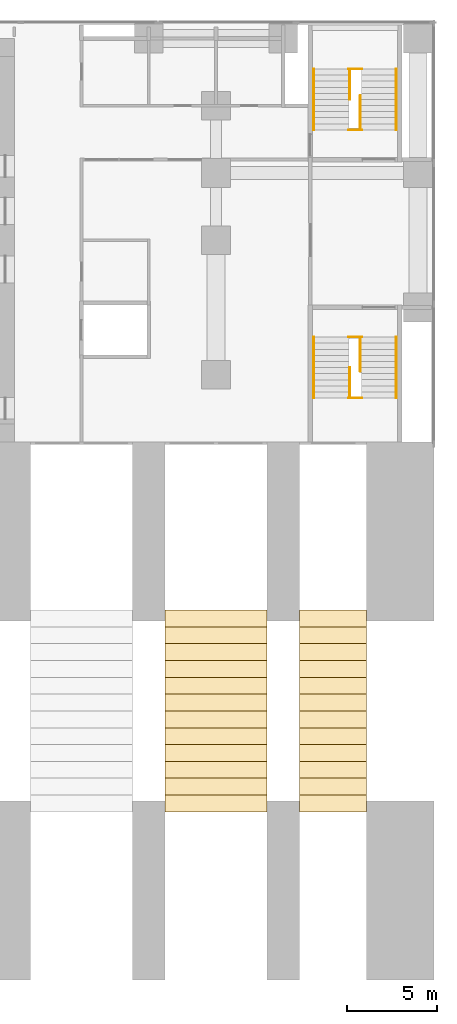
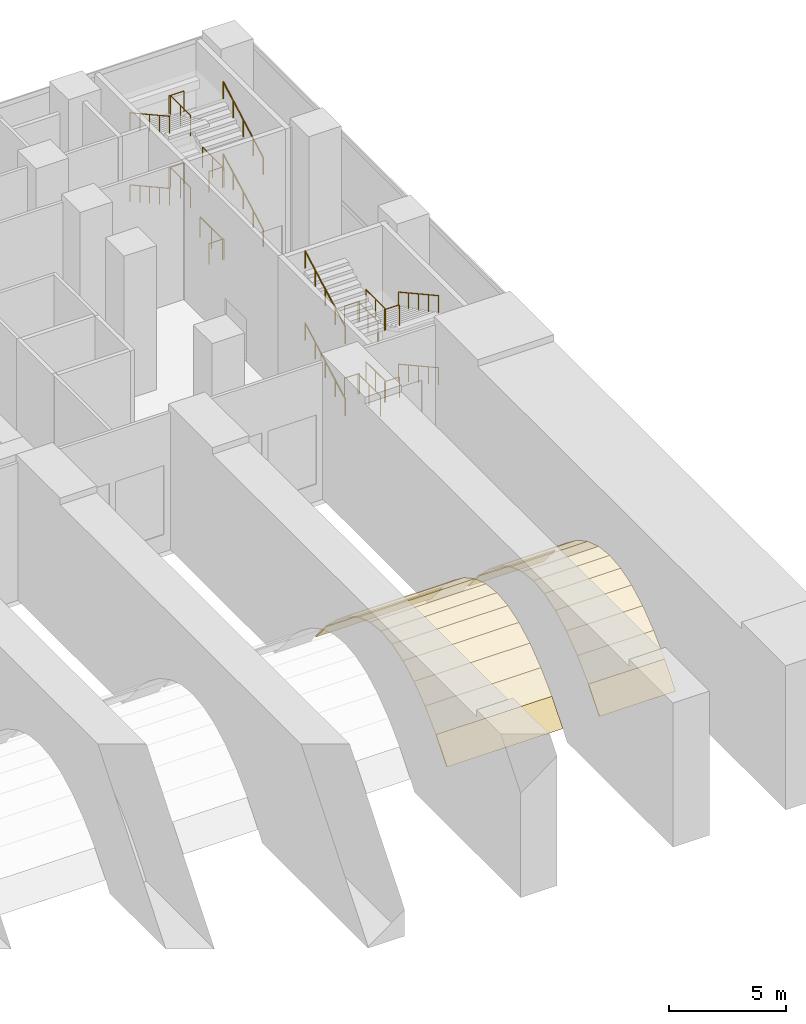
# One storey, part 15 of 15: 24 coverings, 24 railings.
"""IFC4 building model written with IfcOpenShell, lengths in metres."""

from ifc_helpers import new_model, si_unit, direction, frame, origin, origin_2d, place, context, subcontext, project, spatial, polyline, circle, outline, extrude, material, layer, layer_set, type_object, element, save


model = new_model("IFC4")

# Units and contexts
model_context = context("Model", 3, precision=1e-05, world=origin(), true_north=direction((0.0, 1.0)))
body_context = subcontext(model_context, "Body", "Model", "MODEL_VIEW")
ifc_project = project(units=[si_unit("LENGTHUNIT", "METRE"), si_unit("AREAUNIT", "SQUARE_METRE"), si_unit("VOLUMEUNIT", "CUBIC_METRE"), si_unit("PLANEANGLEUNIT", "RADIAN"), si_unit("MASSUNIT", "GRAM", prefix="KILO")], contexts=[model_context])

# Site, building, storey
site_placement = place(None, origin())
site = spatial("IfcSite", under=ifc_project, at=site_placement, CompositionType="ELEMENT")
building_placement = place(site_placement, origin())
building = spatial("IfcBuilding", under=site, at=building_placement, Name="Pilkhan Gate Tower", CompositionType="ELEMENT")
storey_placement = place(building_placement, frame((0.0, 0.0, 16.5)))
storey = spatial("IfcBuildingStorey", under=building, at=storey_placement, Name="L02", CompositionType="ELEMENT", Elevation=16.5)

# Coverings
ifc_material_1 = material(Name="Concrete C40/50 precast", Category="concrete")
ifc_layer = layer(ifc_material_1, 0.06005859375)
ifc_layer_set = layer_set([ifc_layer], Name="Arch soffit panel ARC")
covering_type = type_object("IfcCoveringType", Name="Arch soffit panel ARC", PredefinedType="CLADDING", material=ifc_layer_set)
covering_1_placement = place(storey_placement, frame((98.39990234375, 50.625, 0.487548828125), z_axis=(0.0, -0.766573876706, 0.642156127084), x_axis=(1.0, 0.0, 0.0)))
element("IfcCovering", 1, at=covering_1_placement, inside=storey, type_object=covering_type, Name="Arch soffit panel ARC-9.7", PredefinedType="CLADDING", context=body_context, shape_type="SweptSolid", body=[
    extrude(outline(polyline([(0.0, 0.0), (5.7001953125, 0.0), (5.7001953125, 1.4599253366269764), (0.0, 1.4599253366269764), (0.0, 0.0)])), origin(), (0.0, 0.0, -1.0), 0.06005859375),
])
covering_2_placement = place(storey_placement, frame((98.39990234375, 51.5625, 1.606689453125), z_axis=(0.0, -0.698672998985, 0.715441150961), x_axis=(1.0, 0.0, 0.0)))
element("IfcCovering", 2, at=covering_2_placement, inside=storey, type_object=covering_type, Name="Arch soffit panel ARC-9.8", PredefinedType="CLADDING", context=body_context, shape_type="SweptSolid", body=[
    extrude(outline(polyline([(0.0, 0.0), (5.7001953125, 0.0), (5.7001953125, 1.3103803139371146), (0.0, 1.3103803139371146), (0.0, 0.0)])), origin(), (0.0, 0.0, -1.0), 0.06005859375),
])
covering_3_placement = place(storey_placement, frame((98.39990234375, 52.5, 2.522216796875), z_axis=(0.0, -0.604899225984, 0.796302032149), x_axis=(1.0, 0.0, 0.0)))
element("IfcCovering", 3, at=covering_3_placement, inside=storey, type_object=covering_type, Name="Arch soffit panel ARC-9.9", PredefinedType="CLADDING", context=body_context, shape_type="SweptSolid", body=[
    extrude(outline(polyline([(0.0, 0.0), (5.7001953125, 0.0), (5.7001953125, 1.1773171009877623), (0.0, 1.1773171009877623), (0.0, 0.0)])), origin(), (0.0, 0.0, -1.0), 0.06005859375),
])
covering_4_placement = place(storey_placement, frame((98.39990234375, 53.4375, 3.234375), z_axis=(0.0, -0.476990839795, 0.878908265265), x_axis=(1.0, 0.0, 0.0)))
element("IfcCovering", 4, at=covering_4_placement, inside=storey, type_object=covering_type, Name="Arch soffit panel ARC-9.10", PredefinedType="CLADDING", context=body_context, shape_type="SweptSolid", body=[
    extrude(outline(polyline([(0.0, 0.0), (5.7001953125, 0.0), (5.7001953125, 1.0666642208866055), (0.0, 1.0666642208866055), (0.0, 0.0)])), origin(), (0.0, 0.0, -1.0), 0.06005859375),
])
covering_5_placement = place(storey_placement, frame((98.39990234375, 54.375, 3.7431640625), z_axis=(0.0, -0.309533978689, 0.950888382533), x_axis=(1.0, 0.0, 0.0)))
element("IfcCovering", 5, at=covering_5_placement, inside=storey, type_object=covering_type, Name="Arch soffit panel ARC-9.11", PredefinedType="CLADDING", context=body_context, shape_type="SweptSolid", body=[
    extrude(outline(polyline([(0.0, 0.0), (5.7001953125, 0.0), (5.7001953125, 0.9859201323948852), (0.0, 0.9859201323948852), (0.0, 0.0)])), origin(), (0.0, 0.0, -1.0), 0.06005859375),
])
for number, where, z_axis, x_axis, name in (
    (6, (98.39990234375, 55.3125, 4.04833984375), (0.0, -0.107703168683, 0.994183095539), (1.0, 0.0, 0.0), "Arch soffit panel ARC-9.12"),
    (7, (98.39990234375, 56.25, 4.14990234375), (0.0, 0.107703168683, 0.994183095539), (1.0, 0.0, 0.0), "Arch soffit panel ARC-9.13"),
):
    element("IfcCovering", number, at=place(storey_placement, frame(where, z_axis=z_axis, x_axis=x_axis)), inside=storey, type_object=covering_type, Name=name, PredefinedType="CLADDING", context=body_context, shape_type="SweptSolid", body=[
        extrude(outline(polyline([(0.0, 0.0), (5.7001953125, 0.0), (5.7001953125, 0.9429852551372424), (0.0, 0.9429852551372424), (0.0, 0.0)])), origin(), (0.0, 0.0, -1.0), 0.06005859375),
    ])
covering_6_placement = place(storey_placement, frame((98.39990234375, 57.1875, 4.04833984375), z_axis=(0.0, 0.309533978689, 0.950888382533), x_axis=(1.0, 0.0, 0.0)))
element("IfcCovering", 8, at=covering_6_placement, inside=storey, type_object=covering_type, Name="Arch soffit panel ARC-9.14", PredefinedType="CLADDING", context=body_context, shape_type="SweptSolid", body=[
    extrude(outline(polyline([(0.0, 0.0), (5.7001953125, 0.0), (5.7001953125, 0.9859201323948852), (0.0, 0.9859201323948852), (0.0, 0.0)])), origin(), (0.0, 0.0, -1.0), 0.06005859375),
])
covering_7_placement = place(storey_placement, frame((98.39990234375, 58.125, 3.7431640625), z_axis=(0.0, 0.476990839795, 0.878908265265), x_axis=(1.0, 0.0, 0.0)))
element("IfcCovering", 9, at=covering_7_placement, inside=storey, type_object=covering_type, Name="Arch soffit panel ARC-9.15", PredefinedType="CLADDING", context=body_context, shape_type="SweptSolid", body=[
    extrude(outline(polyline([(0.0, 0.0), (5.7001953125, 0.0), (5.7001953125, 1.0666642208866055), (0.0, 1.0666642208866055), (0.0, 0.0)])), origin(), (0.0, 0.0, -1.0), 0.06005859375),
])
covering_8_placement = place(storey_placement, frame((98.39990234375, 59.0625, 3.234375), z_axis=(0.0, 0.604899225984, 0.796302032149), x_axis=(1.0, 0.0, 0.0)))
element("IfcCovering", 10, at=covering_8_placement, inside=storey, type_object=covering_type, Name="Arch soffit panel ARC-9.16", PredefinedType="CLADDING", context=body_context, shape_type="SweptSolid", body=[
    extrude(outline(polyline([(0.0, 0.0), (5.7001953125, 0.0), (5.7001953125, 1.1773171009877623), (0.0, 1.1773171009877623), (0.0, 0.0)])), origin(), (0.0, 0.0, -1.0), 0.06005859375),
])
covering_9_placement = place(storey_placement, frame((98.39990234375, 60.0, 2.522216796875), z_axis=(0.0, 0.698672998985, 0.715441150961), x_axis=(1.0, 0.0, 0.0)))
element("IfcCovering", 11, at=covering_9_placement, inside=storey, type_object=covering_type, Name="Arch soffit panel ARC-9.17", PredefinedType="CLADDING", context=body_context, shape_type="SweptSolid", body=[
    extrude(outline(polyline([(0.0, 0.0), (5.7001953125, 0.0), (5.7001953125, 1.3103803139371146), (0.0, 1.3103803139371146), (0.0, 0.0)])), origin(), (0.0, 0.0, -1.0), 0.06005859375),
])
covering_10_placement = place(storey_placement, frame((98.39990234375, 60.9375, 1.606689453125), z_axis=(0.0, 0.766573876706, 0.642156127084), x_axis=(1.0, 0.0, 0.0)))
element("IfcCovering", 12, at=covering_10_placement, inside=storey, type_object=covering_type, Name="Arch soffit panel ARC-9.18", PredefinedType="CLADDING", context=body_context, shape_type="SweptSolid", body=[
    extrude(outline(polyline([(0.0, 0.0), (5.7001953125, 0.0), (5.7001953125, 1.4599253366269764), (0.0, 1.4599253366269764), (0.0, 0.0)])), origin(), (0.0, 0.0, -1.0), 0.06005859375),
])
covering_11_placement = place(storey_placement, frame((105.89990234375, 50.625, 0.487548828125), z_axis=(0.0, -0.766573876706, 0.642156127084), x_axis=(1.0, 0.0, 0.0)))
element("IfcCovering", 13, at=covering_11_placement, inside=storey, type_object=covering_type, Name="Arch soffit panel ARC-10.7", PredefinedType="CLADDING", context=body_context, shape_type="SweptSolid", body=[
    extrude(outline(polyline([(0.0, 0.0), (3.75, 0.0), (3.75, 1.4599253366269767), (0.0, 1.4599253366269767), (0.0, 0.0)])), origin(), (0.0, 0.0, -1.0), 0.06005859375),
])
covering_12_placement = place(storey_placement, frame((105.89990234375, 51.5625, 1.606689453125), z_axis=(0.0, -0.698672998985, 0.715441150961), x_axis=(1.0, 0.0, 0.0)))
element("IfcCovering", 14, at=covering_12_placement, inside=storey, type_object=covering_type, Name="Arch soffit panel ARC-10.8", PredefinedType="CLADDING", context=body_context, shape_type="SweptSolid", body=[
    extrude(outline(polyline([(0.0, 0.0), (3.75, 0.0), (3.75, 1.3103803139371144), (0.0, 1.3103803139371144), (0.0, 0.0)])), origin(), (0.0, 0.0, -1.0), 0.06005859375),
])
covering_13_placement = place(storey_placement, frame((105.89990234375, 52.5, 2.522216796875), z_axis=(0.0, -0.604899225984, 0.796302032149), x_axis=(1.0, 0.0, 0.0)))
element("IfcCovering", 15, at=covering_13_placement, inside=storey, type_object=covering_type, Name="Arch soffit panel ARC-10.9", PredefinedType="CLADDING", context=body_context, shape_type="SweptSolid", body=[
    extrude(outline(polyline([(0.0, 0.0), (3.75, 0.0), (3.75, 1.1773171009877623), (0.0, 1.1773171009877623), (0.0, 0.0)])), origin(), (0.0, 0.0, -1.0), 0.06005859375),
])
covering_14_placement = place(storey_placement, frame((105.89990234375, 53.4375, 3.234375), z_axis=(0.0, -0.476990839795, 0.878908265265), x_axis=(1.0, 0.0, 0.0)))
element("IfcCovering", 16, at=covering_14_placement, inside=storey, type_object=covering_type, Name="Arch soffit panel ARC-10.10", PredefinedType="CLADDING", context=body_context, shape_type="SweptSolid", body=[
    extrude(outline(polyline([(0.0, 0.0), (3.75, 0.0), (3.75, 1.0666642208866055), (0.0, 1.0666642208866055), (0.0, 0.0)])), origin(), (0.0, 0.0, -1.0), 0.06005859375),
])
covering_15_placement = place(storey_placement, frame((105.89990234375, 54.375, 3.7431640625), z_axis=(0.0, -0.309533978689, 0.950888382533), x_axis=(1.0, 0.0, 0.0)))
element("IfcCovering", 17, at=covering_15_placement, inside=storey, type_object=covering_type, Name="Arch soffit panel ARC-10.11", PredefinedType="CLADDING", context=body_context, shape_type="SweptSolid", body=[
    extrude(outline(polyline([(0.0, 0.0), (3.75, 0.0), (3.75, 0.9859201323948852), (0.0, 0.9859201323948852), (0.0, 0.0)])), origin(), (0.0, 0.0, -1.0), 0.06005859375),
])
for number, where, z_axis, x_axis, name in (
    (18, (105.89990234375, 55.3125, 4.04833984375), (0.0, -0.107703168683, 0.994183095539), (1.0, 0.0, 0.0), "Arch soffit panel ARC-10.12"),
    (19, (105.89990234375, 56.25, 4.14990234375), (0.0, 0.107703168683, 0.994183095539), (1.0, 0.0, 0.0), "Arch soffit panel ARC-10.13"),
):
    element("IfcCovering", number, at=place(storey_placement, frame(where, z_axis=z_axis, x_axis=x_axis)), inside=storey, type_object=covering_type, Name=name, PredefinedType="CLADDING", context=body_context, shape_type="SweptSolid", body=[
        extrude(outline(polyline([(0.0, 0.0), (3.75, 0.0), (3.75, 0.9429852551372423), (0.0, 0.9429852551372423), (0.0, 0.0)])), origin(), (0.0, 0.0, -1.0), 0.06005859375),
    ])
covering_16_placement = place(storey_placement, frame((105.89990234375, 57.1875, 4.04833984375), z_axis=(0.0, 0.309533978689, 0.950888382533), x_axis=(1.0, 0.0, 0.0)))
element("IfcCovering", 20, at=covering_16_placement, inside=storey, type_object=covering_type, Name="Arch soffit panel ARC-10.14", PredefinedType="CLADDING", context=body_context, shape_type="SweptSolid", body=[
    extrude(outline(polyline([(0.0, 0.0), (3.75, 0.0), (3.75, 0.9859201323948852), (0.0, 0.9859201323948852), (0.0, 0.0)])), origin(), (0.0, 0.0, -1.0), 0.06005859375),
])
covering_17_placement = place(storey_placement, frame((105.89990234375, 58.125, 3.7431640625), z_axis=(0.0, 0.476990839795, 0.878908265265), x_axis=(1.0, 0.0, 0.0)))
element("IfcCovering", 21, at=covering_17_placement, inside=storey, type_object=covering_type, Name="Arch soffit panel ARC-10.15", PredefinedType="CLADDING", context=body_context, shape_type="SweptSolid", body=[
    extrude(outline(polyline([(0.0, 0.0), (3.75, 0.0), (3.75, 1.0666642208866055), (0.0, 1.0666642208866055), (0.0, 0.0)])), origin(), (0.0, 0.0, -1.0), 0.06005859375),
])
covering_18_placement = place(storey_placement, frame((105.89990234375, 59.0625, 3.234375), z_axis=(0.0, 0.604899225984, 0.796302032149), x_axis=(1.0, 0.0, 0.0)))
element("IfcCovering", 22, at=covering_18_placement, inside=storey, type_object=covering_type, Name="Arch soffit panel ARC-10.16", PredefinedType="CLADDING", context=body_context, shape_type="SweptSolid", body=[
    extrude(outline(polyline([(0.0, 0.0), (3.75, 0.0), (3.75, 1.1773171009877623), (0.0, 1.1773171009877623), (0.0, 0.0)])), origin(), (0.0, 0.0, -1.0), 0.06005859375),
])
covering_19_placement = place(storey_placement, frame((105.89990234375, 60.0, 2.522216796875), z_axis=(0.0, 0.698672998985, 0.715441150961), x_axis=(1.0, 0.0, 0.0)))
element("IfcCovering", 23, at=covering_19_placement, inside=storey, type_object=covering_type, Name="Arch soffit panel ARC-10.17", PredefinedType="CLADDING", context=body_context, shape_type="SweptSolid", body=[
    extrude(outline(polyline([(0.0, 0.0), (3.75, 0.0), (3.75, 1.3103803139371144), (0.0, 1.3103803139371144), (0.0, 0.0)])), origin(), (0.0, 0.0, -1.0), 0.06005859375),
])
covering_20_placement = place(storey_placement, frame((105.89990234375, 60.9375, 1.606689453125), z_axis=(0.0, 0.766573876706, 0.642156127084), x_axis=(1.0, 0.0, 0.0)))
element("IfcCovering", 24, at=covering_20_placement, inside=storey, type_object=covering_type, Name="Arch soffit panel ARC-10.18", PredefinedType="CLADDING", context=body_context, shape_type="SweptSolid", body=[
    extrude(outline(polyline([(0.0, 0.0), (3.75, 0.0), (3.75, 1.4599253366269767), (0.0, 1.4599253366269767), (0.0, 0.0)])), origin(), (0.0, 0.0, -1.0), 0.06005859375),
])

# Railings
ifc_material_2 = material(Name="Black powder-coated steel tube", Category="steel")
railing_type_1 = type_object("IfcRailingType", Name="Stair handrail HR1", PredefinedType="HANDRAIL", material=ifc_material_2)
railing_1_placement = place(storey_placement, frame((111.300048828125, 88.64990234375, 0.0)))
element("IfcRailing", 25, at=railing_1_placement, inside=storey, type_object=railing_type_1, Name="Stair PS2 handrail L02", PredefinedType="HANDRAIL", context=body_context, shape_type="SweptSolid", body=[
    extrude(circle(Radius=0.02392578125, at=origin_2d()), frame((0.0, 0.0, 0.8759765625), z_axis=(0.0, 0.875680375818, 0.482891167249), x_axis=(-1.0, 0.0, 0.0)), (0.0, 0.0, 1.0), 3.8828125),
    extrude(circle(Radius=0.02099609375, at=origin_2d()), origin(), (0.0, 0.0, 1.0), 0.851806640625),
    extrude(circle(Radius=0.02099609375, at=origin_2d()), frame((0.0, 0.85009765625, 0.46875)), (0.0, 0.0, 1.0), 0.851806640625),
    extrude(circle(Radius=0.02099609375, at=origin_2d()), frame((0.0, 1.7001953125, 0.9375)), (0.0, 0.0, 1.0), 0.851806640625),
    extrude(circle(Radius=0.02099609375, at=origin_2d()), frame((0.0, 2.550048828125, 1.40625)), (0.0, 0.0, 1.0), 0.851806640625),
    extrude(circle(Radius=0.02099609375, at=origin_2d()), frame((0.0, 3.400146484375, 1.875)), (0.0, 0.0, 1.0), 0.851806640625),
])
railing_2_placement = place(storey_placement, frame((106.699951171875, 92.050048828125, 1.875)))
element("IfcRailing", 26, at=railing_2_placement, inside=storey, type_object=railing_type_1, Name="Stair PS2 handrail L02", PredefinedType="HANDRAIL", context=body_context, shape_type="SweptSolid", body=[
    extrude(circle(Radius=0.02392578125, at=origin_2d()), frame((0.0, 0.0, 0.8759765625), z_axis=(0.0, -0.875680375818, 0.482891167249), x_axis=(1.0, 0.0, 0.0)), (0.0, 0.0, 1.0), 3.8828125),
    extrude(circle(Radius=0.02099609375, at=origin_2d()), origin(), (0.0, 0.0, 1.0), 0.851806640625),
    extrude(circle(Radius=0.02099609375, at=origin_2d()), frame((0.0, -0.85009765625, 0.46875)), (0.0, 0.0, 1.0), 0.851806640625),
    extrude(circle(Radius=0.02099609375, at=origin_2d()), frame((0.0, -1.7001953125, 0.9375)), (0.0, 0.0, 1.0), 0.851806640625),
    extrude(circle(Radius=0.02099609375, at=origin_2d()), frame((0.0, -2.550048828125, 1.40625)), (0.0, 0.0, 1.0), 0.851806640625),
    extrude(circle(Radius=0.02099609375, at=origin_2d()), frame((0.0, -3.400146484375, 1.875)), (0.0, 0.0, 1.0), 0.851806640625),
])
railing_3_placement = place(storey_placement, frame((111.300048828125, 88.64990234375, 3.75)))
element("IfcRailing", 27, at=railing_3_placement, inside=storey, type_object=railing_type_1, Name="Stair PS2 handrail L02", PredefinedType="HANDRAIL", context=body_context, shape_type="SweptSolid", body=[
    extrude(circle(Radius=0.02392578125, at=origin_2d()), frame((0.0, 0.0, 0.8759765625), z_axis=(0.0, 0.875680375818, 0.482891167249), x_axis=(-1.0, 0.0, 0.0)), (0.0, 0.0, 1.0), 3.8828125),
    extrude(circle(Radius=0.02099609375, at=origin_2d()), origin(), (0.0, 0.0, 1.0), 0.851806640625),
    extrude(circle(Radius=0.02099609375, at=origin_2d()), frame((0.0, 0.85009765625, 0.46875)), (0.0, 0.0, 1.0), 0.851806640625),
    extrude(circle(Radius=0.02099609375, at=origin_2d()), frame((0.0, 1.7001953125, 0.9375)), (0.0, 0.0, 1.0), 0.851806640625),
    extrude(circle(Radius=0.02099609375, at=origin_2d()), frame((0.0, 2.550048828125, 1.40625)), (0.0, 0.0, 1.0), 0.851806640625),
    extrude(circle(Radius=0.02099609375, at=origin_2d()), frame((0.0, 3.400146484375, 1.875)), (0.0, 0.0, 1.0), 0.851806640625),
])
for number, where, name in (
    (28, (106.699951171875, 92.050048828125, 5.625), "Stair PS2 handrail L02"),
    (29, (111.300048828125, 77.10009765625, 0.0), "Stair PS4 handrail L02"),
):
    element("IfcRailing", number, at=place(storey_placement, frame(where)), inside=storey, type_object=railing_type_1, Name=name, PredefinedType="HANDRAIL", context=body_context, shape_type="SweptSolid", body=[
        extrude(circle(Radius=0.02392578125, at=origin_2d()), frame((0.0, 0.0, 0.8759765625), z_axis=(0.0, -0.875680375818, 0.482891167249), x_axis=(1.0, 0.0, 0.0)), (0.0, 0.0, 1.0), 3.8828125),
        extrude(circle(Radius=0.02099609375, at=origin_2d()), origin(), (0.0, 0.0, 1.0), 0.851806640625),
        extrude(circle(Radius=0.02099609375, at=origin_2d()), frame((0.0, -0.85009765625, 0.46875)), (0.0, 0.0, 1.0), 0.851806640625),
        extrude(circle(Radius=0.02099609375, at=origin_2d()), frame((0.0, -1.7001953125, 0.9375)), (0.0, 0.0, 1.0), 0.851806640625),
        extrude(circle(Radius=0.02099609375, at=origin_2d()), frame((0.0, -2.550048828125, 1.40625)), (0.0, 0.0, 1.0), 0.851806640625),
        extrude(circle(Radius=0.02099609375, at=origin_2d()), frame((0.0, -3.400146484375, 1.875)), (0.0, 0.0, 1.0), 0.851806640625),
    ])
railing_4_placement = place(storey_placement, frame((106.699951171875, 73.699951171875, 1.875)))
element("IfcRailing", 30, at=railing_4_placement, inside=storey, type_object=railing_type_1, Name="Stair PS4 handrail L02", PredefinedType="HANDRAIL", context=body_context, shape_type="SweptSolid", body=[
    extrude(circle(Radius=0.02392578125, at=origin_2d()), frame((0.0, 0.0, 0.8759765625), z_axis=(0.0, 0.875680375818, 0.482891167249), x_axis=(-1.0, 0.0, 0.0)), (0.0, 0.0, 1.0), 3.8828125),
    extrude(circle(Radius=0.02099609375, at=origin_2d()), origin(), (0.0, 0.0, 1.0), 0.851806640625),
    extrude(circle(Radius=0.02099609375, at=origin_2d()), frame((0.0, 0.85009765625, 0.46875)), (0.0, 0.0, 1.0), 0.851806640625),
    extrude(circle(Radius=0.02099609375, at=origin_2d()), frame((0.0, 1.7001953125, 0.9375)), (0.0, 0.0, 1.0), 0.851806640625),
    extrude(circle(Radius=0.02099609375, at=origin_2d()), frame((0.0, 2.550048828125, 1.40625)), (0.0, 0.0, 1.0), 0.851806640625),
    extrude(circle(Radius=0.02099609375, at=origin_2d()), frame((0.0, 3.400146484375, 1.875)), (0.0, 0.0, 1.0), 0.851806640625),
])
railing_5_placement = place(storey_placement, frame((111.300048828125, 77.10009765625, 3.75)))
element("IfcRailing", 31, at=railing_5_placement, inside=storey, type_object=railing_type_1, Name="Stair PS4 handrail L02", PredefinedType="HANDRAIL", context=body_context, shape_type="SweptSolid", body=[
    extrude(circle(Radius=0.02392578125, at=origin_2d()), frame((0.0, 0.0, 0.8759765625), z_axis=(0.0, -0.875680375818, 0.482891167249), x_axis=(1.0, 0.0, 0.0)), (0.0, 0.0, 1.0), 3.8828125),
    extrude(circle(Radius=0.02099609375, at=origin_2d()), origin(), (0.0, 0.0, 1.0), 0.851806640625),
    extrude(circle(Radius=0.02099609375, at=origin_2d()), frame((0.0, -0.85009765625, 0.46875)), (0.0, 0.0, 1.0), 0.851806640625),
    extrude(circle(Radius=0.02099609375, at=origin_2d()), frame((0.0, -1.7001953125, 0.9375)), (0.0, 0.0, 1.0), 0.851806640625),
    extrude(circle(Radius=0.02099609375, at=origin_2d()), frame((0.0, -2.550048828125, 1.40625)), (0.0, 0.0, 1.0), 0.851806640625),
    extrude(circle(Radius=0.02099609375, at=origin_2d()), frame((0.0, -3.400146484375, 1.875)), (0.0, 0.0, 1.0), 0.851806640625),
])
railing_6_placement = place(storey_placement, frame((106.699951171875, 73.699951171875, 5.625)))
element("IfcRailing", 32, at=railing_6_placement, inside=storey, type_object=railing_type_1, Name="Stair PS4 handrail L02", PredefinedType="HANDRAIL", context=body_context, shape_type="SweptSolid", body=[
    extrude(circle(Radius=0.02392578125, at=origin_2d()), frame((0.0, 0.0, 0.8759765625), z_axis=(0.0, 0.875680375818, 0.482891167249), x_axis=(-1.0, 0.0, 0.0)), (0.0, 0.0, 1.0), 3.8828125),
    extrude(circle(Radius=0.02099609375, at=origin_2d()), origin(), (0.0, 0.0, 1.0), 0.851806640625),
    extrude(circle(Radius=0.02099609375, at=origin_2d()), frame((0.0, 0.85009765625, 0.46875)), (0.0, 0.0, 1.0), 0.851806640625),
    extrude(circle(Radius=0.02099609375, at=origin_2d()), frame((0.0, 1.7001953125, 0.9375)), (0.0, 0.0, 1.0), 0.851806640625),
    extrude(circle(Radius=0.02099609375, at=origin_2d()), frame((0.0, 2.550048828125, 1.40625)), (0.0, 0.0, 1.0), 0.851806640625),
    extrude(circle(Radius=0.02099609375, at=origin_2d()), frame((0.0, 3.400146484375, 1.875)), (0.0, 0.0, 1.0), 0.851806640625),
])
ifc_material_3 = material(Name="Black powder-coated steel balusters", Category="steel")
railing_type_2 = type_object("IfcRailingType", Name="Stair well guard G3", PredefinedType="GUARDRAIL", material=ifc_material_3)
railing_7_placement = place(storey_placement, frame((109.3701171875, 88.64990234375, 0.0)))
element("IfcRailing", 33, at=railing_7_placement, inside=storey, type_object=railing_type_2, Name="Stair PS2 well guard L02", PredefinedType="GUARDRAIL", context=body_context, shape_type="SweptSolid", body=[
    extrude(circle(Radius=0.02392578125, at=origin_2d()), frame((0.0, 0.0, 1.076171875), z_axis=(-1.0, 0.0, 0.0), x_axis=(0.0, -1.0, 0.0)), (0.0, 0.0, 1.0), 0.740234375),
    extrude(circle(Radius=0.02099609375, at=origin_2d()), origin(), (0.0, 0.0, 1.0), 1.052001953125),
    extrude(circle(Radius=0.02099609375, at=origin_2d()), frame((-0.740234375, 0.0, 0.0)), (0.0, 0.0, 1.0), 1.052001953125),
])
railing_8_placement = place(storey_placement, frame((109.300048828125, 88.64990234375, 0.0)))
element("IfcRailing", 34, at=railing_8_placement, inside=storey, type_object=railing_type_2, Name="Stair PS2 well guard L02", PredefinedType="GUARDRAIL", context=body_context, shape_type="SweptSolid", body=[
    extrude(circle(Radius=0.02392578125, at=origin_2d()), frame((0.0, 0.0, 1.076171875), z_axis=(0.0, 1.0, 0.0), x_axis=(-1.0, 0.0, 0.0)), (0.0, 0.0, 1.0), 1.900146484375),
    extrude(circle(Radius=0.02099609375, at=origin_2d()), origin(), (0.0, 0.0, 1.0), 1.052001953125),
    extrude(circle(Radius=0.02099609375, at=origin_2d()), frame((0.0, 0.9501953125, 0.0)), (0.0, 0.0, 1.0), 1.052001953125),
    extrude(circle(Radius=0.02099609375, at=origin_2d()), frame((0.0, 1.900146484375, 0.0)), (0.0, 0.0, 1.0), 1.052001953125),
])
railing_9_placement = place(storey_placement, frame((109.3701171875, 92.050048828125, 1.875)))
element("IfcRailing", 35, at=railing_9_placement, inside=storey, type_object=railing_type_2, Name="Stair PS2 well guard L02", PredefinedType="GUARDRAIL", context=body_context, shape_type="SweptSolid", body=[
    extrude(circle(Radius=0.02392578125, at=origin_2d()), frame((0.0, 0.0, 1.076171875), z_axis=(-1.0, 0.0, 0.0), x_axis=(0.0, -1.0, 0.0)), (0.0, 0.0, 1.0), 0.740234375),
    extrude(circle(Radius=0.02099609375, at=origin_2d()), origin(), (0.0, 0.0, 1.0), 1.052001953125),
    extrude(circle(Radius=0.02099609375, at=origin_2d()), frame((-0.740234375, 0.0, 0.0)), (0.0, 0.0, 1.0), 1.052001953125),
])
railing_10_placement = place(storey_placement, frame((108.699951171875, 90.35009765625, 1.875)))
element("IfcRailing", 36, at=railing_10_placement, inside=storey, type_object=railing_type_2, Name="Stair PS2 well guard L02", PredefinedType="GUARDRAIL", context=body_context, shape_type="SweptSolid", body=[
    extrude(circle(Radius=0.02392578125, at=origin_2d()), frame((0.0, 0.0, 1.076171875), z_axis=(0.0, 1.0, 0.0), x_axis=(-1.0, 0.0, 0.0)), (0.0, 0.0, 1.0), 1.699951171875),
    extrude(circle(Radius=0.02099609375, at=origin_2d()), origin(), (0.0, 0.0, 1.0), 1.052001953125),
    extrude(circle(Radius=0.02099609375, at=origin_2d()), frame((0.0, 0.85009765625, 0.0)), (0.0, 0.0, 1.0), 1.052001953125),
    extrude(circle(Radius=0.02099609375, at=origin_2d()), frame((0.0, 1.699951171875, 0.0)), (0.0, 0.0, 1.0), 1.052001953125),
])
railing_11_placement = place(storey_placement, frame((109.3701171875, 88.64990234375, 3.75)))
element("IfcRailing", 37, at=railing_11_placement, inside=storey, type_object=railing_type_2, Name="Stair PS2 well guard L02", PredefinedType="GUARDRAIL", context=body_context, shape_type="SweptSolid", body=[
    extrude(circle(Radius=0.02392578125, at=origin_2d()), frame((0.0, 0.0, 1.076171875), z_axis=(-1.0, 0.0, 0.0), x_axis=(0.0, -1.0, 0.0)), (0.0, 0.0, 1.0), 0.740234375),
    extrude(circle(Radius=0.02099609375, at=origin_2d()), origin(), (0.0, 0.0, 1.0), 1.052001953125),
    extrude(circle(Radius=0.02099609375, at=origin_2d()), frame((-0.740234375, 0.0, 0.0)), (0.0, 0.0, 1.0), 1.052001953125),
])
railing_12_placement = place(storey_placement, frame((109.300048828125, 88.64990234375, 3.75)))
element("IfcRailing", 38, at=railing_12_placement, inside=storey, type_object=railing_type_2, Name="Stair PS2 well guard L02", PredefinedType="GUARDRAIL", context=body_context, shape_type="SweptSolid", body=[
    extrude(circle(Radius=0.02392578125, at=origin_2d()), frame((0.0, 0.0, 1.076171875), z_axis=(0.0, 1.0, 0.0), x_axis=(-1.0, 0.0, 0.0)), (0.0, 0.0, 1.0), 1.7001953125),
    extrude(circle(Radius=0.02099609375, at=origin_2d()), origin(), (0.0, 0.0, 1.0), 1.052001953125),
    extrude(circle(Radius=0.02099609375, at=origin_2d()), frame((0.0, 0.85009765625, 0.0)), (0.0, 0.0, 1.0), 1.052001953125),
    extrude(circle(Radius=0.02099609375, at=origin_2d()), frame((0.0, 1.7001953125, 0.0)), (0.0, 0.0, 1.0), 1.052001953125),
])
railing_13_placement = place(storey_placement, frame((109.3701171875, 92.050048828125, 5.625)))
element("IfcRailing", 39, at=railing_13_placement, inside=storey, type_object=railing_type_2, Name="Stair PS2 well guard L02", PredefinedType="GUARDRAIL", context=body_context, shape_type="SweptSolid", body=[
    extrude(circle(Radius=0.02392578125, at=origin_2d()), frame((0.0, 0.0, 1.076171875), z_axis=(-1.0, 0.0, 0.0), x_axis=(0.0, -1.0, 0.0)), (0.0, 0.0, 1.0), 0.740234375),
    extrude(circle(Radius=0.02099609375, at=origin_2d()), origin(), (0.0, 0.0, 1.0), 1.052001953125),
    extrude(circle(Radius=0.02099609375, at=origin_2d()), frame((-0.740234375, 0.0, 0.0)), (0.0, 0.0, 1.0), 1.052001953125),
])
railing_14_placement = place(storey_placement, frame((108.699951171875, 90.35009765625, 5.625)))
element("IfcRailing", 40, at=railing_14_placement, inside=storey, type_object=railing_type_2, Name="Stair PS2 well guard L02", PredefinedType="GUARDRAIL", context=body_context, shape_type="SweptSolid", body=[
    extrude(circle(Radius=0.02392578125, at=origin_2d()), frame((0.0, 0.0, 1.076171875), z_axis=(0.0, 1.0, 0.0), x_axis=(-1.0, 0.0, 0.0)), (0.0, 0.0, 1.0), 1.699951171875),
    extrude(circle(Radius=0.02099609375, at=origin_2d()), origin(), (0.0, 0.0, 1.0), 1.052001953125),
    extrude(circle(Radius=0.02099609375, at=origin_2d()), frame((0.0, 0.85009765625, 0.0)), (0.0, 0.0, 1.0), 1.052001953125),
    extrude(circle(Radius=0.02099609375, at=origin_2d()), frame((0.0, 1.699951171875, 0.0)), (0.0, 0.0, 1.0), 1.052001953125),
])
railing_15_placement = place(storey_placement, frame((109.3701171875, 77.10009765625, 0.0)))
element("IfcRailing", 41, at=railing_15_placement, inside=storey, type_object=railing_type_2, Name="Stair PS4 well guard L02", PredefinedType="GUARDRAIL", context=body_context, shape_type="SweptSolid", body=[
    extrude(circle(Radius=0.02392578125, at=origin_2d()), frame((0.0, 0.0, 1.076171875), z_axis=(-1.0, 0.0, 0.0), x_axis=(0.0, -1.0, 0.0)), (0.0, 0.0, 1.0), 0.740234375),
    extrude(circle(Radius=0.02099609375, at=origin_2d()), origin(), (0.0, 0.0, 1.0), 1.052001953125),
    extrude(circle(Radius=0.02099609375, at=origin_2d()), frame((-0.740234375, 0.0, 0.0)), (0.0, 0.0, 1.0), 1.052001953125),
])
railing_16_placement = place(storey_placement, frame((109.300048828125, 77.10009765625, 0.0)))
element("IfcRailing", 42, at=railing_16_placement, inside=storey, type_object=railing_type_2, Name="Stair PS4 well guard L02", PredefinedType="GUARDRAIL", context=body_context, shape_type="SweptSolid", body=[
    extrude(circle(Radius=0.02392578125, at=origin_2d()), frame((0.0, 0.0, 1.076171875), z_axis=(0.0, -1.0, 0.0), x_axis=(1.0, 0.0, 0.0)), (0.0, 0.0, 1.0), 1.900146484375),
    extrude(circle(Radius=0.02099609375, at=origin_2d()), origin(), (0.0, 0.0, 1.0), 1.052001953125),
    extrude(circle(Radius=0.02099609375, at=origin_2d()), frame((0.0, -0.9501953125, 0.0)), (0.0, 0.0, 1.0), 1.052001953125),
    extrude(circle(Radius=0.02099609375, at=origin_2d()), frame((0.0, -1.900146484375, 0.0)), (0.0, 0.0, 1.0), 1.052001953125),
])
railing_17_placement = place(storey_placement, frame((109.3701171875, 73.699951171875, 1.875)))
element("IfcRailing", 43, at=railing_17_placement, inside=storey, type_object=railing_type_2, Name="Stair PS4 well guard L02", PredefinedType="GUARDRAIL", context=body_context, shape_type="SweptSolid", body=[
    extrude(circle(Radius=0.02392578125, at=origin_2d()), frame((0.0, 0.0, 1.076171875), z_axis=(-1.0, 0.0, 0.0), x_axis=(0.0, -1.0, 0.0)), (0.0, 0.0, 1.0), 0.740234375),
    extrude(circle(Radius=0.02099609375, at=origin_2d()), origin(), (0.0, 0.0, 1.0), 1.052001953125),
    extrude(circle(Radius=0.02099609375, at=origin_2d()), frame((-0.740234375, 0.0, 0.0)), (0.0, 0.0, 1.0), 1.052001953125),
])
railing_18_placement = place(storey_placement, frame((108.699951171875, 75.39990234375, 1.875)))
element("IfcRailing", 44, at=railing_18_placement, inside=storey, type_object=railing_type_2, Name="Stair PS4 well guard L02", PredefinedType="GUARDRAIL", context=body_context, shape_type="SweptSolid", body=[
    extrude(circle(Radius=0.02392578125, at=origin_2d()), frame((0.0, 0.0, 1.076171875), z_axis=(0.0, -1.0, 0.0), x_axis=(1.0, 0.0, 0.0)), (0.0, 0.0, 1.0), 1.699951171875),
    extrude(circle(Radius=0.02099609375, at=origin_2d()), origin(), (0.0, 0.0, 1.0), 1.052001953125),
    extrude(circle(Radius=0.02099609375, at=origin_2d()), frame((0.0, -0.85009765625, 0.0)), (0.0, 0.0, 1.0), 1.052001953125),
    extrude(circle(Radius=0.02099609375, at=origin_2d()), frame((0.0, -1.699951171875, 0.0)), (0.0, 0.0, 1.0), 1.052001953125),
])
railing_19_placement = place(storey_placement, frame((109.3701171875, 77.10009765625, 3.75)))
element("IfcRailing", 45, at=railing_19_placement, inside=storey, type_object=railing_type_2, Name="Stair PS4 well guard L02", PredefinedType="GUARDRAIL", context=body_context, shape_type="SweptSolid", body=[
    extrude(circle(Radius=0.02392578125, at=origin_2d()), frame((0.0, 0.0, 1.076171875), z_axis=(-1.0, 0.0, 0.0), x_axis=(0.0, -1.0, 0.0)), (0.0, 0.0, 1.0), 0.740234375),
    extrude(circle(Radius=0.02099609375, at=origin_2d()), origin(), (0.0, 0.0, 1.0), 1.052001953125),
    extrude(circle(Radius=0.02099609375, at=origin_2d()), frame((-0.740234375, 0.0, 0.0)), (0.0, 0.0, 1.0), 1.052001953125),
])
railing_20_placement = place(storey_placement, frame((109.300048828125, 77.10009765625, 3.75)))
element("IfcRailing", 46, at=railing_20_placement, inside=storey, type_object=railing_type_2, Name="Stair PS4 well guard L02", PredefinedType="GUARDRAIL", context=body_context, shape_type="SweptSolid", body=[
    extrude(circle(Radius=0.02392578125, at=origin_2d()), frame((0.0, 0.0, 1.076171875), z_axis=(0.0, -1.0, 0.0), x_axis=(1.0, 0.0, 0.0)), (0.0, 0.0, 1.0), 1.7001953125),
    extrude(circle(Radius=0.02099609375, at=origin_2d()), origin(), (0.0, 0.0, 1.0), 1.052001953125),
    extrude(circle(Radius=0.02099609375, at=origin_2d()), frame((0.0, -0.85009765625, 0.0)), (0.0, 0.0, 1.0), 1.052001953125),
    extrude(circle(Radius=0.02099609375, at=origin_2d()), frame((0.0, -1.7001953125, 0.0)), (0.0, 0.0, 1.0), 1.052001953125),
])
railing_21_placement = place(storey_placement, frame((109.3701171875, 73.699951171875, 5.625)))
element("IfcRailing", 47, at=railing_21_placement, inside=storey, type_object=railing_type_2, Name="Stair PS4 well guard L02", PredefinedType="GUARDRAIL", context=body_context, shape_type="SweptSolid", body=[
    extrude(circle(Radius=0.02392578125, at=origin_2d()), frame((0.0, 0.0, 1.076171875), z_axis=(-1.0, 0.0, 0.0), x_axis=(0.0, -1.0, 0.0)), (0.0, 0.0, 1.0), 0.740234375),
    extrude(circle(Radius=0.02099609375, at=origin_2d()), origin(), (0.0, 0.0, 1.0), 1.052001953125),
    extrude(circle(Radius=0.02099609375, at=origin_2d()), frame((-0.740234375, 0.0, 0.0)), (0.0, 0.0, 1.0), 1.052001953125),
])
railing_22_placement = place(storey_placement, frame((108.699951171875, 75.39990234375, 5.625)))
element("IfcRailing", 48, at=railing_22_placement, inside=storey, type_object=railing_type_2, Name="Stair PS4 well guard L02", PredefinedType="GUARDRAIL", context=body_context, shape_type="SweptSolid", body=[
    extrude(circle(Radius=0.02392578125, at=origin_2d()), frame((0.0, 0.0, 1.076171875), z_axis=(0.0, -1.0, 0.0), x_axis=(1.0, 0.0, 0.0)), (0.0, 0.0, 1.0), 1.699951171875),
    extrude(circle(Radius=0.02099609375, at=origin_2d()), origin(), (0.0, 0.0, 1.0), 1.052001953125),
    extrude(circle(Radius=0.02099609375, at=origin_2d()), frame((0.0, -0.85009765625, 0.0)), (0.0, 0.0, 1.0), 1.052001953125),
    extrude(circle(Radius=0.02099609375, at=origin_2d()), frame((0.0, -1.699951171875, 0.0)), (0.0, 0.0, 1.0), 1.052001953125),
])

save(model, "model.ifc")
